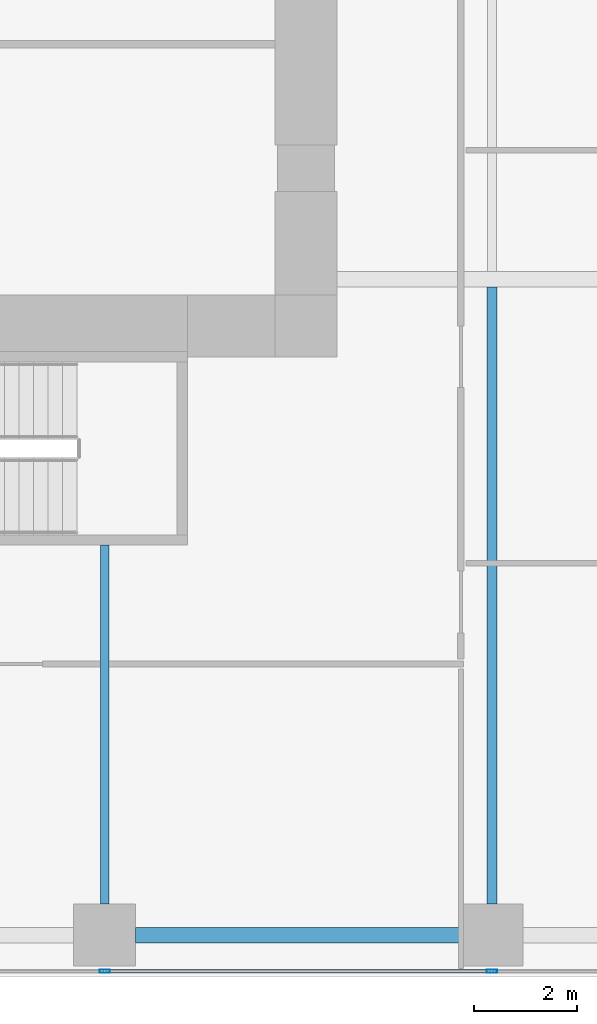
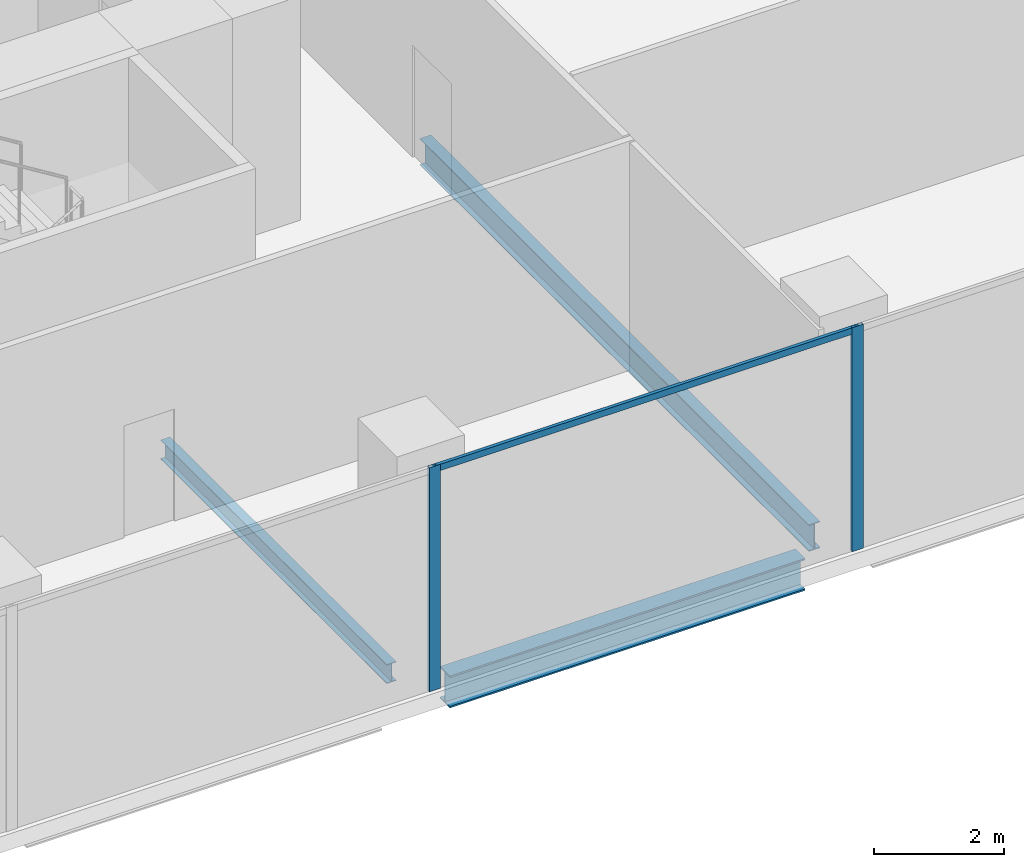
# One storey, part 4 of 33: 3 beams, 3 members, 1 element without a shape of its own.
"""IFC4 building model written with IfcOpenShell, lengths in metres."""

from ifc_helpers import new_model, si_unit, direction, frame, origin, origin_2d, place, context, subcontext, project, spatial, hollow_rectangle, i_section, extrude, source, transform, mapped, material, material_profile, profile_set, type_object, element, aggregate, save


model = new_model("IFC4")

# Units and contexts
model_context = context("Model", 3, precision=1e-05, world=origin(), true_north=direction((0.0, 1.0)))
body_context = subcontext(model_context, "Body", "Model", "MODEL_VIEW")
ifc_project = project(units=[si_unit("LENGTHUNIT", "METRE"), si_unit("AREAUNIT", "SQUARE_METRE"), si_unit("VOLUMEUNIT", "CUBIC_METRE"), si_unit("PLANEANGLEUNIT", "RADIAN"), si_unit("MASSUNIT", "GRAM", prefix="KILO")], contexts=[model_context])

# Site, building, storey
site_placement = place(None, origin())
site = spatial("IfcSite", under=ifc_project, at=site_placement, CompositionType="ELEMENT")
building_placement = place(site_placement, origin())
building = spatial("IfcBuilding", under=site, at=building_placement, Name="Khomas Fold Tower", CompositionType="ELEMENT")
storey_placement = place(building_placement, frame((0.0, 0.0, 91.5)))
storey = spatial("IfcBuildingStorey", under=building, at=storey_placement, Name="L19", CompositionType="ELEMENT", Elevation=91.5)

# Beams
ifc_material_1 = material(Name="Steel S355", Category="steel")
ifc_material_profile_1 = material_profile(ifc_material_1, i_section(OverallWidth=0.169921875, OverallDepth=0.360107421875, WebThickness=0.008056640625, FlangeThickness=0.0126953125, at=origin_2d()), Name="IPE 360")
ifc_profile_set_1 = profile_set([ifc_material_profile_1], Name="Steel S355")
beam_type_1 = type_object("IfcBeamType", Name="IPE 360 beam JB2", PredefinedType="BEAM", material=ifc_profile_set_1)
shared_shape_1 = source(origin(), body_context, "Body", "SweptSolid", [
    extrude(i_section(OverallWidth=0.169921875, OverallDepth=0.360107421875, WebThickness=0.008056640625, FlangeThickness=0.0126953125, at=origin_2d()), origin(), (0.0, 0.0, 1.0), 6.9501953125),
])
beam_1_placement = place(storey_placement, frame((19.5, 1.39990234375, -0.47998046875), z_axis=(0.0, 1.0, 0.0), x_axis=(-1.0, 0.0, 0.0)))
element("IfcBeam", 1, at=beam_1_placement, inside=storey, type_object=beam_type_1, Name="JB2", PredefinedType="BEAM", context=body_context, shape_type="MappedRepresentation", body=[
    mapped(shared_shape_1, transform((0.0, 0.0, 0.0))),
])
ifc_material_2 = material(Name="Steel S355", Category="steel")
ifc_material_profile_2 = material_profile(ifc_material_2, i_section(OverallWidth=0.300048828125, OverallDepth=0.60009765625, WebThickness=0.015380859375, FlangeThickness=0.030029296875, at=origin_2d()), Name="HE 600 B")
ifc_profile_set_2 = profile_set([ifc_material_profile_2], Name="Steel S355")
beam_type_2 = type_object("IfcBeamType", Name="HE 600 B spandrel SB1", PredefinedType="SPANDREL", material=ifc_profile_set_2)
shared_shape_2 = source(origin(), body_context, "Body", "SweptSolid", [
    extrude(i_section(OverallWidth=0.300048828125, OverallDepth=0.60009765625, WebThickness=0.015380859375, FlangeThickness=0.030029296875, at=origin_2d()), origin(), (0.0, 0.0, 1.0), 6.2998046875),
])
beam_2_placement = place(storey_placement, frame((20.10009765625, 0.800048828125, -0.60009765625), z_axis=(1.0, 0.0, 0.0), x_axis=(0.0, 1.0, 0.0)))
element("IfcBeam", 2, at=beam_2_placement, inside=storey, type_object=beam_type_2, Name="SB1", PredefinedType="SPANDREL", context=body_context, shape_type="MappedRepresentation", body=[
    mapped(shared_shape_2, transform((0.0, 0.0, 0.0))),
])
ifc_material_3 = material(Name="Steel S355", Category="steel")
ifc_material_profile_3 = material_profile(ifc_material_3, i_section(OverallWidth=0.199951171875, OverallDepth=0.5, WebThickness=0.01025390625, FlangeThickness=0.01611328125, at=origin_2d()), Name="IPE 500")
ifc_profile_set_3 = profile_set([ifc_material_profile_3], Name="Steel S355")
beam_type_3 = type_object("IfcBeamType", Name="IPE 500 beam JB5", PredefinedType="BEAM", material=ifc_profile_set_3)
shared_shape_3 = source(origin(), body_context, "Body", "SweptSolid", [
    extrude(i_section(OverallWidth=0.199951171875, OverallDepth=0.5, WebThickness=0.01025390625, FlangeThickness=0.01611328125, at=origin_2d()), origin(), (0.0, 0.0, 1.0), 11.9501953125),
])
beam_3_placement = place(storey_placement, frame((27.0, 1.39990234375, -0.550048828125), z_axis=(0.0, 1.0, 0.0), x_axis=(-1.0, 0.0, 0.0)))
element("IfcBeam", 3, at=beam_3_placement, inside=storey, type_object=beam_type_3, Name="JB5", PredefinedType="BEAM", context=body_context, shape_type="MappedRepresentation", body=[
    mapped(shared_shape_3, transform((0.0, 0.0, 0.0))),
])

# Curtain wall, members
ifc_material_4 = material(Name="Aluminium framed double glazing", Category="aluminium")
curtain_wall_type = type_object("IfcCurtainWallType", Name="SK-Unitised clear-glass wall, growing floors CW1", PredefinedType="NOTDEFINED", material=ifc_material_4)
curtain_wall_placement = place(storey_placement, origin())
curtain_wall = element("IfcCurtainWall", 4, at=curtain_wall_placement, inside=storey, type_object=curtain_wall_type, Name="CW1 run L19 00-0", PredefinedType="NOTDEFINED")
ifc_material_5 = material(Name="Aluminium", Category="aluminium")
ifc_material_profile_4 = material_profile(ifc_material_5, hollow_rectangle(XDim=0.06005859375, YDim=0.1201171875, WallThickness=0.00390625, at=origin_2d()), Name="SK-Unitised clear-glass wall, growing floors transom CW1-T")
ifc_profile_set_4 = profile_set([ifc_material_profile_4], Name="Aluminium")
member_type_1 = type_object("IfcMemberType", Name="SK-Unitised clear-glass wall, growing floors transom CW1-T", PredefinedType="USERDEFINED", material=ifc_profile_set_4)
shared_shape_4 = source(origin(), body_context, "Body", "SweptSolid", [
    extrude(hollow_rectangle(XDim=0.06005859375, YDim=0.1201171875, WallThickness=0.00390625, at=origin_2d()), origin(), (0.0, 0.0, 1.0), 7.43994140625),
])
member_1_placement = place(storey_placement, frame((19.530029296875, 0.10009765625, 4.139892578125), z_axis=(1.0, 0.0, 0.0), x_axis=(0.0, 1.0, 0.0)))
member_1 = element("IfcMember", 5, at=member_1_placement, type_object=member_type_1, Name="CW1 transom 4", ObjectType="TRANSOM", PredefinedType="USERDEFINED", context=body_context, shape_type="MappedRepresentation", body=[
    mapped(shared_shape_4, transform((0.0, 0.0, 0.0))),
])
ifc_material_6 = material(Name="Aluminium", Category="aluminium")
ifc_material_profile_5 = material_profile(ifc_material_6, hollow_rectangle(XDim=0.06005859375, YDim=0.199951171875, WallThickness=0.00390625, at=origin_2d()), Name="SK-Unitised clear-glass wall, growing floors mullion CW1-M")
ifc_profile_set_5 = profile_set([ifc_material_profile_5], Name="Aluminium")
member_type_2 = type_object("IfcMemberType", Name="SK-Unitised clear-glass wall, growing floors mullion CW1-M", PredefinedType="MULLION", material=ifc_profile_set_5)
shared_shape_5 = source(origin(), body_context, "Body", "SweptSolid", [
    extrude(hollow_rectangle(XDim=0.06005859375, YDim=0.199951171875, WallThickness=0.00390625, at=origin_2d()), origin(), (0.0, 0.0, 1.0), 4.199951171875),
])
member_2_placement = place(storey_placement, frame((19.5, 0.10009765625, 0.0), z_axis=(0.0, 0.0, 1.0), x_axis=(0.0, 1.0, 0.0)))
member_2 = element("IfcMember", 6, at=member_2_placement, type_object=member_type_2, Name="CW1 mullion 4", PredefinedType="MULLION", context=body_context, shape_type="MappedRepresentation", body=[
    mapped(shared_shape_5, transform((0.0, 0.0, 0.0))),
])
member_3_placement = place(storey_placement, frame((27.0, 0.10009765625, 0.0), z_axis=(0.0, 0.0, 1.0), x_axis=(0.0, 1.0, 0.0)))
member_3 = element("IfcMember", 7, at=member_3_placement, type_object=member_type_2, Name="CW1 mullion 5", PredefinedType="MULLION", context=body_context, shape_type="MappedRepresentation", body=[
    mapped(shared_shape_5, transform((0.0, 0.0, 0.0))),
])
aggregate(curtain_wall, [member_2, member_3, member_1])

save(model, "model.ifc")
